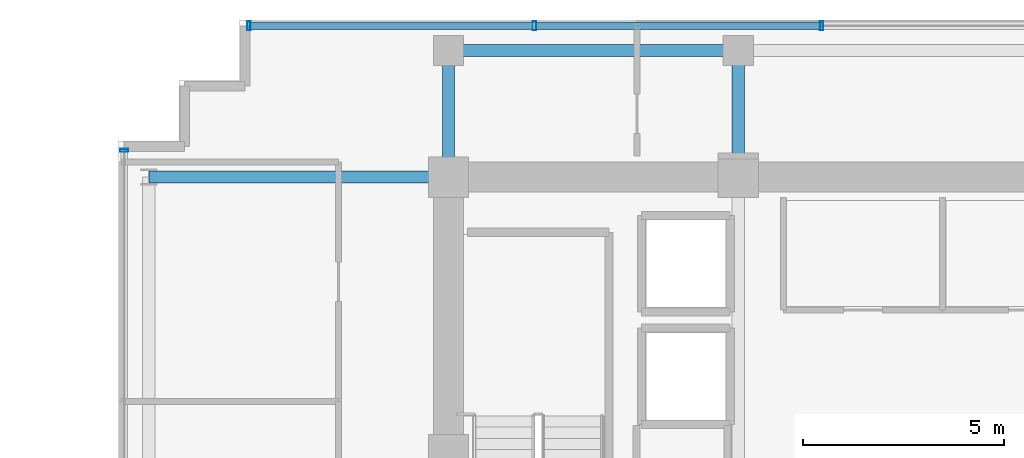
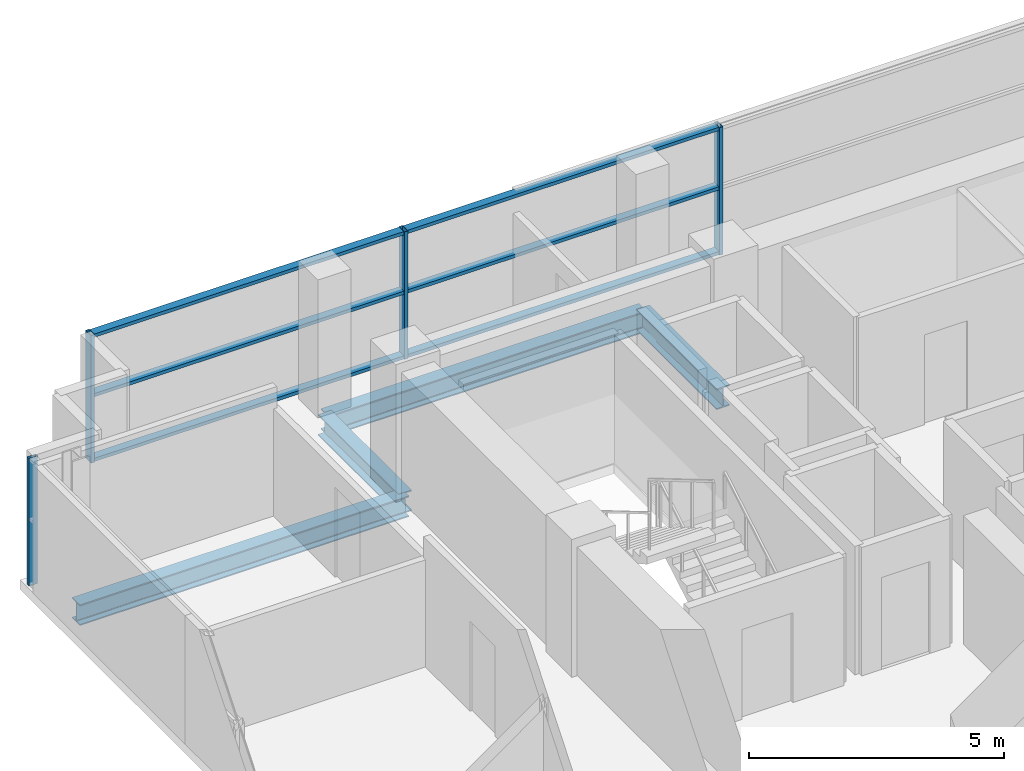
# One storey, part 10 of 22: 10 members, 4 beams, 2 elements without a shape of their own.
"""IFC4 building model written with IfcOpenShell, lengths in metres."""

from ifc_helpers import new_model, si_unit, direction, frame, origin, origin_2d, place, context, subcontext, project, spatial, hollow_rectangle, i_section, extrude, source, transform, mapped, material, layer, layer_set, material_profile, profile_set, type_object, element, aggregate, save


model = new_model("IFC4")

# Units and contexts
model_context = context("Model", 3, precision=1e-05, world=origin(), true_north=direction((0.0, 1.0)))
body_context = subcontext(model_context, "Body", "Model", "MODEL_VIEW")
ifc_project = project(units=[si_unit("LENGTHUNIT", "METRE"), si_unit("AREAUNIT", "SQUARE_METRE"), si_unit("VOLUMEUNIT", "CUBIC_METRE"), si_unit("PLANEANGLEUNIT", "RADIAN"), si_unit("MASSUNIT", "GRAM", prefix="KILO")], contexts=[model_context])

# Site, building, storey
site_placement = place(None, origin())
site = spatial("IfcSite", under=ifc_project, at=site_placement, CompositionType="ELEMENT")
building_placement = place(site_placement, origin())
building = spatial("IfcBuilding", under=site, at=building_placement, Name="Zarnakvel Exchange Tower", CompositionType="ELEMENT")
storey_placement = place(building_placement, frame((0.0, 0.0, 179.199951171875)))
storey = spatial("IfcBuildingStorey", under=building, at=storey_placement, Name="L50", CompositionType="ELEMENT", Elevation=179.199951171875)

# Beams
ifc_material_1 = material(Name="Steel S355", Category="steel")
ifc_material_profile_1 = material_profile(ifc_material_1, i_section(OverallWidth=0.300048828125, OverallDepth=0.5, WebThickness=0.014404296875, FlangeThickness=0.028076171875, FilletRadius=0.027099609375, at=origin_2d()))
ifc_profile_set_1 = profile_set([ifc_material_profile_1], Name="Steel S355")
beam_type_1 = type_object("IfcBeamType", Name="G-06", PredefinedType="BEAM", material=ifc_profile_set_1)
beam_1_placement = place(storey_placement, frame((-21.85009765625, 13.5, -0.474853515625), z_axis=(1.0, 0.0, 0.0), x_axis=(0.0, 1.0, 0.0)))
element("IfcBeam", 1, at=beam_1_placement, inside=storey, type_object=beam_type_1, Name="L50 Tower E-W Frame Beam", PredefinedType="BEAM", context=body_context, shape_type="SweptSolid", body=[
    extrude(i_section(OverallWidth=0.300048828125, OverallDepth=0.5, WebThickness=0.014404296875, FlangeThickness=0.028076171875, FilletRadius=0.027099609375, at=origin_2d()), origin(), (0.0, 0.0, 1.0), 7.4501953125),
])
for number, where, z_axis, x_axis, name in (
    (2, (-14.39990234375, 13.5, -0.474853515625), (0.0, 1.0, 0.0), (-1.0, 0.0, 0.0), "L50 Tower N-S Frame Beam"),
    (3, (-7.199951171875, 13.5, -0.474853515625), (0.0, 1.0, 0.0), (-1.0, 0.0, 0.0), "L50 Tower N-S Frame Beam"),
):
    element("IfcBeam", number, at=place(storey_placement, frame(where, z_axis=z_axis, x_axis=x_axis)), inside=storey, type_object=beam_type_1, Name=name, PredefinedType="BEAM", context=body_context, shape_type="SweptSolid", body=[
        extrude(i_section(OverallWidth=0.300048828125, OverallDepth=0.5, WebThickness=0.014404296875, FlangeThickness=0.028076171875, FilletRadius=0.027099609375, at=origin_2d()), origin(), (0.0, 0.0, 1.0), 3.14990234375),
    ])
ifc_material_profile_2 = material_profile(ifc_material_1, i_section(OverallWidth=0.300048828125, OverallDepth=0.5, WebThickness=0.014404296875, FlangeThickness=0.028076171875, FilletRadius=0.027099609375, at=origin_2d()))
ifc_profile_set_2 = profile_set([ifc_material_profile_2], Name="Steel S355")
beam_type_2 = type_object("IfcBeamType", Name="SP-02", PredefinedType="SPANDREL", material=ifc_profile_set_2)
beam_2_placement = place(storey_placement, frame((-14.39990234375, 16.64990234375, -0.474853515625), z_axis=(1.0, 0.0, 0.0), x_axis=(0.0, 1.0, 0.0)))
element("IfcBeam", 4, at=beam_2_placement, inside=storey, type_object=beam_type_2, Name="L50 Tower E-W Frame Beam", PredefinedType="SPANDREL", context=body_context, shape_type="SweptSolid", body=[
    extrude(i_section(OverallWidth=0.300048828125, OverallDepth=0.5, WebThickness=0.014404296875, FlangeThickness=0.028076171875, FilletRadius=0.027099609375, at=origin_2d()), origin(), (0.0, 0.0, 1.0), 7.199951171875),
])

# Curtain wall, member
ifc_material_2 = material(Name="Architectural Bronze Anodised Aluminium", Category="aluminium")
ifc_layer_1 = layer(ifc_material_2, 0.199951171875)
ifc_layer_set_1 = layer_set([ifc_layer_1], Name="Architectural Bronze Anodised Aluminium")
curtain_wall_type_1 = type_object("IfcCurtainWallType", Name="CW-04", PredefinedType="NOTDEFINED", material=ifc_layer_set_1)
curtain_wall_1_placement = place(storey_placement, origin())
curtain_wall_1 = element("IfcCurtainWall", 5, at=curtain_wall_1_placement, inside=storey, type_object=curtain_wall_type_1, Name="L50 Curtain Wall CW-L50-WN (CW-04)", PredefinedType="NOTDEFINED")
ifc_material_profile_3 = material_profile(ifc_material_2, hollow_rectangle(XDim=0.199951171875, YDim=0.074951171875, WallThickness=0.0048828125, at=origin_2d()))
ifc_profile_set_3 = profile_set([ifc_material_profile_3], Name="Architectural Bronze Anodised Aluminium")
member_type_1 = type_object("IfcMemberType", Name="CWM-04", PredefinedType="MULLION", material=ifc_profile_set_3)
shared_shape_1 = source(origin(), body_context, "Body", "SweptSolid", [
    extrude(hollow_rectangle(XDim=0.199951171875, YDim=0.074951171875, WallThickness=0.0048828125, at=origin_2d()), origin(), (0.0, 0.0, 1.0), 3.054931640625),
])
member_1_placement = place(storey_placement, frame((-22.4599609375, 14.16259765625, 0.0), z_axis=(0.0, 0.0, 1.0), x_axis=(-1.0, 0.0, 0.0)))
member_1 = element("IfcMember", 6, at=member_1_placement, type_object=member_type_1, Name="CW-04 mullion 3", PredefinedType="MULLION", context=body_context, shape_type="MappedRepresentation", body=[
    mapped(shared_shape_1, transform((0.0, 0.0, 0.0), x_axis=(1.0, 0.0, 0.0), y_axis=(0.0, 1.0, 0.0), z_axis=(0.0, 0.0, 1.0), scale=1.0)),
])
aggregate(curtain_wall_1, [member_1])

# Curtain wall, members
ifc_layer_2 = layer(ifc_material_2, 0.219970703125)
ifc_layer_set_2 = layer_set([ifc_layer_2], Name="Architectural Bronze Anodised Aluminium")
curtain_wall_type_2 = type_object("IfcCurtainWallType", Name="CW-03", PredefinedType="NOTDEFINED", material=ifc_layer_set_2)
curtain_wall_2_placement = place(storey_placement, origin())
curtain_wall_2 = element("IfcCurtainWall", 7, at=curtain_wall_2_placement, inside=storey, type_object=curtain_wall_type_2, Name="L50 Curtain Wall CW-L50-N1 (CW-03)", PredefinedType="NOTDEFINED")
ifc_material_profile_4 = material_profile(ifc_material_2, hollow_rectangle(XDim=0.219970703125, YDim=0.080078125, WallThickness=0.0048828125, at=origin_2d()))
ifc_profile_set_4 = profile_set([ifc_material_profile_4], Name="Architectural Bronze Anodised Aluminium")
member_type_2 = type_object("IfcMemberType", Name="CWM-03", PredefinedType="MULLION", material=ifc_profile_set_4)
shared_shape_2 = source(origin(), body_context, "Body", "SweptSolid", [
    extrude(hollow_rectangle(XDim=0.219970703125, YDim=0.080078125, WallThickness=0.0048828125, at=origin_2d()), origin(), (0.0, 0.0, 1.0), 3.054931640625),
])
member_2_placement = place(storey_placement, frame((-19.360107421875, 17.260009765625, 0.0), z_axis=(0.0, 0.0, 1.0), x_axis=(0.0, 1.0, 0.0)))
member_2 = element("IfcMember", 8, at=member_2_placement, type_object=member_type_2, Name="CW-03 mullion 1", PredefinedType="MULLION", context=body_context, shape_type="MappedRepresentation", body=[
    mapped(shared_shape_2, transform((0.0, 0.0, 0.0), x_axis=(1.0, 0.0, 0.0), y_axis=(0.0, 1.0, 0.0), z_axis=(0.0, 0.0, 1.0), scale=1.0)),
])
member_3_placement = place(storey_placement, frame((-12.2666015625, 17.260009765625, 0.0), z_axis=(0.0, 0.0, 1.0), x_axis=(0.0, 1.0, 0.0)))
member_3 = element("IfcMember", 9, at=member_3_placement, type_object=member_type_2, Name="CW-03 mullion 2", PredefinedType="MULLION", context=body_context, shape_type="MappedRepresentation", body=[
    mapped(shared_shape_2, transform((0.0, 0.0, 0.0), x_axis=(1.0, 0.0, 0.0), y_axis=(0.0, 1.0, 0.0), z_axis=(0.0, 0.0, 1.0), scale=1.0)),
])
member_4_placement = place(storey_placement, frame((-5.13330078125, 17.260009765625, 0.0), z_axis=(0.0, 0.0, 1.0), x_axis=(0.0, 1.0, 0.0)))
member_4 = element("IfcMember", 10, at=member_4_placement, type_object=member_type_2, Name="CW-03 mullion 3", PredefinedType="MULLION", context=body_context, shape_type="MappedRepresentation", body=[
    mapped(shared_shape_2, transform((0.0, 0.0, 0.0), x_axis=(1.0, 0.0, 0.0), y_axis=(0.0, 1.0, 0.0), z_axis=(0.0, 0.0, 1.0), scale=1.0)),
])
ifc_material_profile_5 = material_profile(ifc_material_2, hollow_rectangle(XDim=0.179931640625, YDim=0.080078125, WallThickness=0.00390625, at=origin_2d()))
ifc_profile_set_5 = profile_set([ifc_material_profile_5], Name="Architectural Bronze Anodised Aluminium")
member_type_3 = type_object("IfcMemberType", Name="CWT-03", PredefinedType="USERDEFINED", material=ifc_profile_set_5)
shared_shape_3 = source(origin(), body_context, "Body", "SweptSolid", [
    extrude(hollow_rectangle(XDim=0.179931640625, YDim=0.080078125, WallThickness=0.00390625, at=origin_2d()), origin(), (0.0, 0.0, 1.0), 7.013427734375),
])
member_5_placement = place(storey_placement, frame((-19.320068359375, 17.260009765625, 0.0400390625), z_axis=(1.0, 0.0, 0.0), x_axis=(0.0, 1.0, 0.0)))
member_5 = element("IfcMember", 11, at=member_5_placement, type_object=member_type_3, Name="CW-03 transom 1.1", ObjectType="TRANSOM", PredefinedType="USERDEFINED", context=body_context, shape_type="MappedRepresentation", body=[
    mapped(shared_shape_3, transform((0.0, 0.0, 0.0), x_axis=(1.0, 0.0, 0.0), y_axis=(0.0, 1.0, 0.0), z_axis=(0.0, 0.0, 1.0), scale=1.0)),
])
member_6_placement = place(storey_placement, frame((-19.320068359375, 17.260009765625, 1.588623046875), z_axis=(1.0, 0.0, 0.0), x_axis=(0.0, 1.0, 0.0)))
member_6 = element("IfcMember", 12, at=member_6_placement, type_object=member_type_3, Name="CW-03 transom 1.2", ObjectType="TRANSOM", PredefinedType="USERDEFINED", context=body_context, shape_type="MappedRepresentation", body=[
    mapped(shared_shape_3, transform((0.0, 0.0, 0.0), x_axis=(1.0, 0.0, 0.0), y_axis=(0.0, 1.0, 0.0), z_axis=(0.0, 0.0, 1.0), scale=1.0)),
])
member_7_placement = place(storey_placement, frame((-19.320068359375, 17.260009765625, 3.01513671875), z_axis=(1.0, 0.0, 0.0), x_axis=(0.0, 1.0, 0.0)))
member_7 = element("IfcMember", 13, at=member_7_placement, type_object=member_type_3, Name="CW-03 transom 1.3", ObjectType="TRANSOM", PredefinedType="USERDEFINED", context=body_context, shape_type="MappedRepresentation", body=[
    mapped(shared_shape_3, transform((0.0, 0.0, 0.0), x_axis=(1.0, 0.0, 0.0), y_axis=(0.0, 1.0, 0.0), z_axis=(0.0, 0.0, 1.0), scale=1.0)),
])
shared_shape_4 = source(origin(), body_context, "Body", "SweptSolid", [
    extrude(hollow_rectangle(XDim=0.179931640625, YDim=0.080078125, WallThickness=0.00390625, at=origin_2d()), origin(), (0.0, 0.0, 1.0), 7.05322265625),
])
member_8_placement = place(storey_placement, frame((-12.2265625, 17.260009765625, 0.0400390625), z_axis=(1.0, 0.0, 0.0), x_axis=(0.0, 1.0, 0.0)))
member_8 = element("IfcMember", 14, at=member_8_placement, type_object=member_type_3, Name="CW-03 transom 2.1", ObjectType="TRANSOM", PredefinedType="USERDEFINED", context=body_context, shape_type="MappedRepresentation", body=[
    mapped(shared_shape_4, transform((0.0, 0.0, 0.0), x_axis=(1.0, 0.0, 0.0), y_axis=(0.0, 1.0, 0.0), z_axis=(0.0, 0.0, 1.0), scale=1.0)),
])
member_9_placement = place(storey_placement, frame((-12.2265625, 17.260009765625, 1.588623046875), z_axis=(1.0, 0.0, 0.0), x_axis=(0.0, 1.0, 0.0)))
member_9 = element("IfcMember", 15, at=member_9_placement, type_object=member_type_3, Name="CW-03 transom 2.2", ObjectType="TRANSOM", PredefinedType="USERDEFINED", context=body_context, shape_type="MappedRepresentation", body=[
    mapped(shared_shape_4, transform((0.0, 0.0, 0.0), x_axis=(1.0, 0.0, 0.0), y_axis=(0.0, 1.0, 0.0), z_axis=(0.0, 0.0, 1.0), scale=1.0)),
])
member_10_placement = place(storey_placement, frame((-12.2265625, 17.260009765625, 3.01513671875), z_axis=(1.0, 0.0, 0.0), x_axis=(0.0, 1.0, 0.0)))
member_10 = element("IfcMember", 16, at=member_10_placement, type_object=member_type_3, Name="CW-03 transom 2.3", ObjectType="TRANSOM", PredefinedType="USERDEFINED", context=body_context, shape_type="MappedRepresentation", body=[
    mapped(shared_shape_4, transform((0.0, 0.0, 0.0), x_axis=(1.0, 0.0, 0.0), y_axis=(0.0, 1.0, 0.0), z_axis=(0.0, 0.0, 1.0), scale=1.0)),
])
aggregate(curtain_wall_2, [member_2, member_3, member_4, member_5, member_6, member_7, member_8, member_9, member_10])

save(model, "model.ifc")
